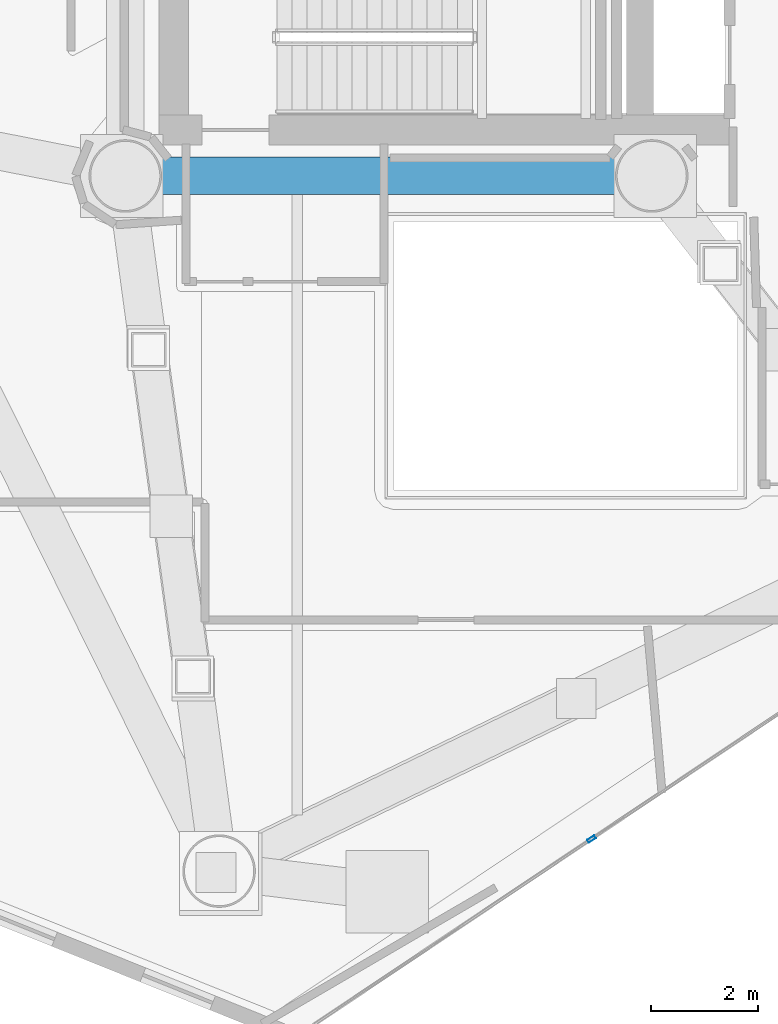
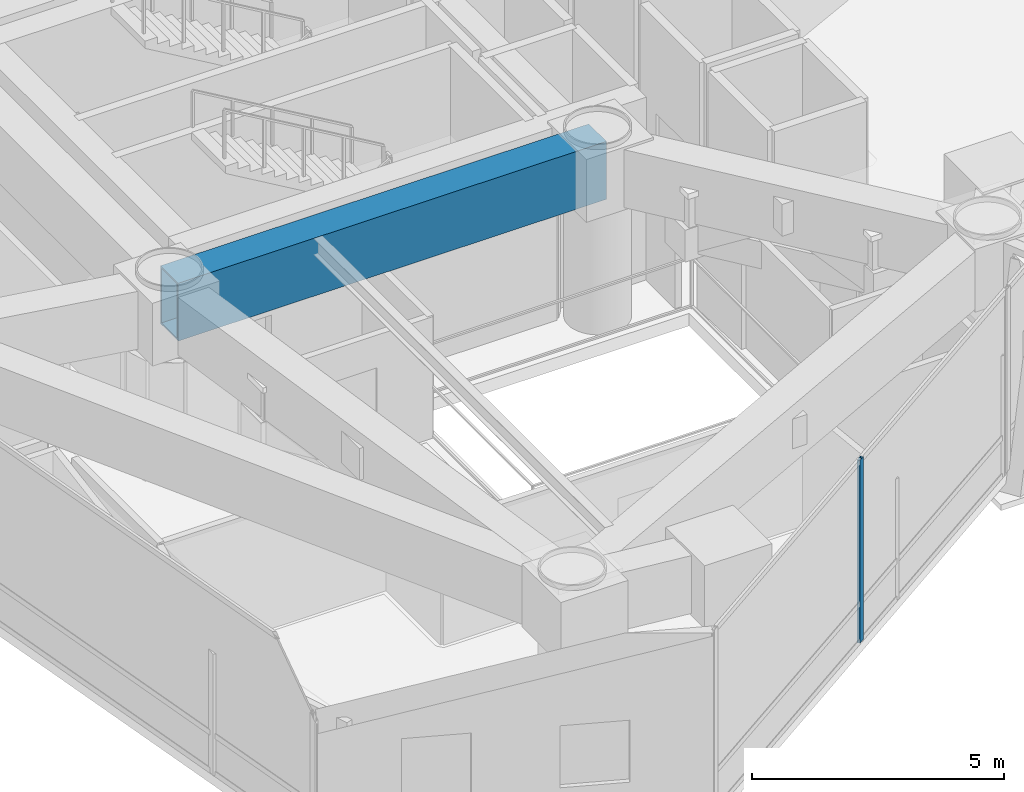
# One storey, part 4 of 22: 1 beam, 1 member, 1 element without a shape of its own.
"""IFC4 building model written with IfcOpenShell, lengths in metres."""

from ifc_helpers import new_model, si_unit, direction, frame, origin, origin_2d, place, context, subcontext, project, spatial, hollow_rectangle, extrude, material, layer, layer_set, material_profile, profile_set, type_object, element, aggregate, save


model = new_model("IFC4")

# Units and contexts
model_context = context("Model", 3, precision=1e-05, world=origin(), true_north=direction((0.0, 1.0)))
body_context = subcontext(model_context, "Body", "Model", "MODEL_VIEW")
ifc_project = project(units=[si_unit("LENGTHUNIT", "METRE"), si_unit("AREAUNIT", "SQUARE_METRE"), si_unit("VOLUMEUNIT", "CUBIC_METRE"), si_unit("PLANEANGLEUNIT", "RADIAN"), si_unit("MASSUNIT", "GRAM", prefix="KILO")], contexts=[model_context])

# Site, building, storey
site_placement = place(None, origin())
site = spatial("IfcSite", under=ifc_project, at=site_placement, CompositionType="ELEMENT")
building_placement = place(site_placement, origin())
building = spatial("IfcBuilding", under=site, at=building_placement, Name="Qianvela Tower", CompositionType="ELEMENT")
storey_placement = place(building_placement, frame((0.0, 0.0, 184.60009765625)))
storey = spatial("IfcBuildingStorey", under=building, at=storey_placement, Name="L47", CompositionType="ELEMENT", Elevation=184.60009765625)

# Beam
ifc_material_1 = material(Name="Steel Q420GJC", Category="steel")
ifc_material_profile_1 = material_profile(ifc_material_1, hollow_rectangle(XDim=0.699951171875, YDim=1.39990234375, WallThickness=0.0400390625, at=origin_2d()), Name="TG-BOX-1400x700x40")
ifc_profile_set_1 = profile_set([ifc_material_profile_1], Name="Steel Q420GJC")
beam_type = type_object("IfcBeamType", Name="BM-TG-RAD-1400", PredefinedType="BEAM", material=ifc_profile_set_1)
beam_placement = place(storey_placement, frame((28.60009765625, 23.85009765625, 3.718017578125), z_axis=(1.0, 0.0, 0.0), x_axis=(0.0, 1.0, 0.0)))
element("IfcBeam", 1, at=beam_placement, inside=storey, type_object=beam_type, Name="L47 Core Ring Transfer Girder 1", PredefinedType="BEAM", context=body_context, shape_type="SweptSolid", body=[
    extrude(hollow_rectangle(XDim=0.699951171875, YDim=1.39990234375, WallThickness=0.0400390625, at=origin_2d()), origin(), (0.0, 0.0, 1.0), 9.7998046875),
])

# Curtain wall, member
ifc_material_2 = material(Name="Anodised Architectural Aluminium and Low-E Glass", Category="aluminium")
ifc_layer = layer(ifc_material_2, 0.169921875)
ifc_layer_set = layer_set([ifc_layer], Name="Anodised Architectural Aluminium and Low-E Glass")
curtain_wall_type = type_object("IfcCurtainWallType", Name="CW-COLIV-Z34", PredefinedType="USERDEFINED", material=ifc_layer_set)
curtain_wall_placement = place(storey_placement, origin())
curtain_wall = element("IfcCurtainWall", 2, at=curtain_wall_placement, inside=storey, type_object=curtain_wall_type, Name="L47 CW-COLIV-Z34 Curtain Wall 06A", ObjectType="CURTAIN_WALL_SYSTEM", PredefinedType="USERDEFINED")
ifc_material_3 = material(Name="Anodised Architectural Aluminium 6063-T6", Category="aluminium")
ifc_material_profile_2 = material_profile(ifc_material_3, hollow_rectangle(XDim=0.06494140625, YDim=0.159912109375, WallThickness=0.0048828125, at=origin_2d()), Name="ALU-MULL-65x160")
ifc_profile_set_2 = profile_set([ifc_material_profile_2], Name="Anodised Architectural Aluminium 6063-T6")
member_type = type_object("IfcMemberType", Name="CW-COLIV-Z34-MULL", PredefinedType="MULLION", material=ifc_profile_set_2)
member_placement = place(storey_placement, frame((37.2802734375, 11.506591796875, 0.0), z_axis=(0.0, 0.0, 1.0), x_axis=(-0.556193242014, 0.831052993219, 0.0)))
member = element("IfcMember", 3, at=member_placement, type_object=member_type, Name="CW-4 mullion 2", PredefinedType="MULLION", context=body_context, shape_type="SweptSolid", body=[
    extrude(hollow_rectangle(XDim=0.06494140625, YDim=0.159912109375, WallThickness=0.0048828125, at=origin_2d()), origin(), (0.0, 0.0, 1.0), 4.419921875),
])
aggregate(curtain_wall, [member])

save(model, "model.ifc")
